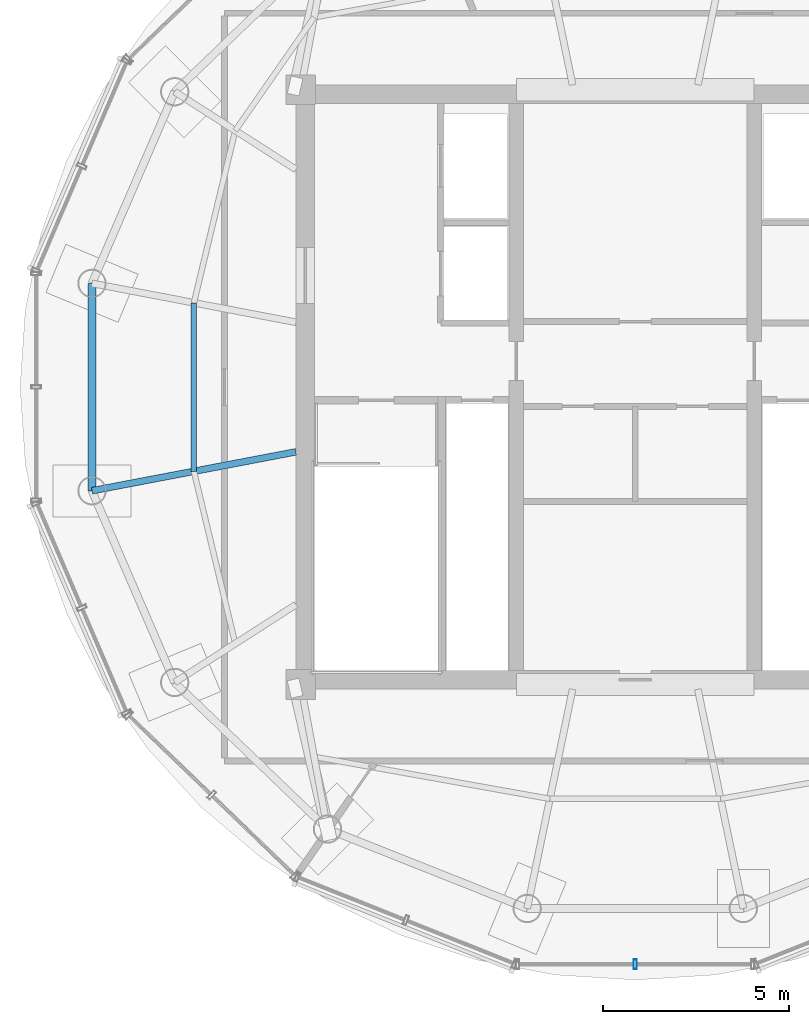
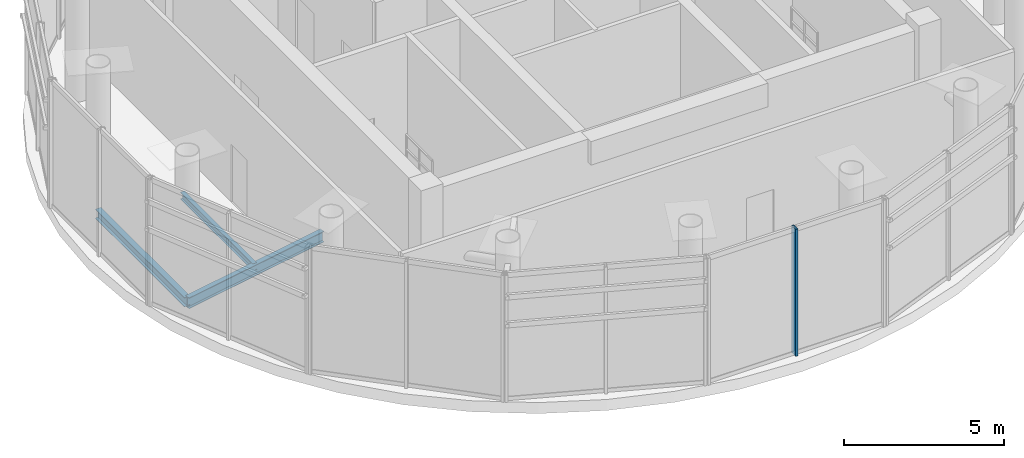
# One storey, part 3 of 13: 3 beams, 1 member, 1 element without a shape of its own.
"""IFC4 building model written with IfcOpenShell, lengths in metres."""

from ifc_helpers import new_model, si_unit, direction, frame, origin, origin_2d, place, context, subcontext, project, spatial, hollow_rectangle, i_section, extrude, source, transform, mapped, material, material_profile, profile_set, type_object, element, aggregate, save


model = new_model("IFC4")

# Units and contexts
model_context = context("Model", 3, precision=1e-05, world=origin(), true_north=direction((-0.2419218956, 0.970295726276)))
body_context = subcontext(model_context, "Body", "Model", "MODEL_VIEW")
ifc_project = project(units=[si_unit("LENGTHUNIT", "METRE"), si_unit("AREAUNIT", "SQUARE_METRE"), si_unit("VOLUMEUNIT", "CUBIC_METRE"), si_unit("PLANEANGLEUNIT", "RADIAN"), si_unit("MASSUNIT", "GRAM", prefix="KILO")], contexts=[model_context])

# Site, building, storey
site_placement = place(None, origin())
site = spatial("IfcSite", under=ifc_project, at=site_placement, CompositionType="ELEMENT")
building_placement = place(site_placement, origin())
building = spatial("IfcBuilding", under=site, at=building_placement, Name="Cobrevalo Terracotta Tower", CompositionType="ELEMENT")
storey_placement = place(building_placement, frame((0.0, 0.0, 332.10009765625)))
storey = spatial("IfcBuildingStorey", under=building, at=storey_placement, Name="L85", CompositionType="ELEMENT", Elevation=332.10009765625)

# Beams
ifc_material_1 = material(Name="Steel S355", Category="steel")
ifc_material_profile_1 = material_profile(ifc_material_1, i_section(OverallWidth=0.179931640625, OverallDepth=0.4130859375, WebThickness=0.009765625, FlangeThickness=0.01611328125, at=origin_2d()), Name="W 410x75")
ifc_profile_set_1 = profile_set([ifc_material_profile_1], Name="Steel S355")
beam_type_1 = type_object("IfcBeamType", Name="Structural Beam W 410x75 (Steel S355)", PredefinedType="BEAM", material=ifc_profile_set_1)
beam_1_placement = place(storey_placement, frame((23.38623046875, 24.01025390625, -0.626708984375), z_axis=(0.982261932892, 0.187513986655, 0.0), x_axis=(-0.187513986655, 0.982261932892, 0.0)))
element("IfcBeam", 1, at=beam_1_placement, inside=storey, type_object=beam_type_1, Name="L85 radial floor girder 09", PredefinedType="BEAM", context=body_context, shape_type="SweptSolid", body=[
    extrude(i_section(OverallWidth=0.179931640625, OverallDepth=0.4130859375, WebThickness=0.009765625, FlangeThickness=0.01611328125, at=origin_2d()), origin(), (0.0, 0.0, 1.0), 5.5830078125),
])
ifc_material_profile_2 = material_profile(ifc_material_1, i_section(OverallWidth=0.14794921875, OverallDepth=0.26611328125, WebThickness=0.007568359375, FlangeThickness=0.012939453125, at=origin_2d()), Name="W 250x44.8")
ifc_profile_set_2 = profile_set([ifc_material_profile_2], Name="Steel S355")
beam_type_2 = type_object("IfcBeamType", Name="Structural Joist W 250x44.8 (Steel S355)", PredefinedType="JOIST", material=ifc_profile_set_2)
beam_2_placement = place(storey_placement, frame((26.128173828125, 29.06640625, -0.552978515625), z_axis=(0.0, -1.0, 0.0), x_axis=(1.0, 0.0, 0.0)))
element("IfcBeam", 2, at=beam_2_placement, inside=storey, type_object=beam_type_2, Name="L85 circumferential secondary floor joist 08", PredefinedType="JOIST", context=body_context, shape_type="SweptSolid", body=[
    extrude(i_section(OverallWidth=0.14794921875, OverallDepth=0.26611328125, WebThickness=0.007568359375, FlangeThickness=0.012939453125, at=origin_2d()), origin(), (0.0, 0.0, 1.0), 4.53271484375),
])
ifc_material_profile_3 = material_profile(ifc_material_1, i_section(OverallWidth=0.205078125, OverallDepth=0.35400390625, WebThickness=0.009521484375, FlangeThickness=0.016845703125, at=origin_2d()), Name="W 360x79")
ifc_profile_set_3 = profile_set([ifc_material_profile_3], Name="Steel S355")
beam_type_3 = type_object("IfcBeamType", Name="Structural Spandrel W 360x79 (Steel S355)", PredefinedType="SPANDREL", material=ifc_profile_set_3)
beam_3_placement = place(storey_placement, frame((23.38623046875, 29.58984375, -0.59716796875), z_axis=(0.0, -1.0, 0.0), x_axis=(1.0, 0.0, 0.0)))
element("IfcBeam", 3, at=beam_3_placement, inside=storey, type_object=beam_type_3, Name="L85 perimeter ring spandrel 08", PredefinedType="SPANDREL", context=body_context, shape_type="SweptSolid", body=[
    extrude(i_section(OverallWidth=0.205078125, OverallDepth=0.35400390625, WebThickness=0.009521484375, FlangeThickness=0.016845703125, at=origin_2d()), origin(), (0.0, 0.0, 1.0), 5.57958984375),
])

# Curtain wall, member
ifc_material_2 = material(Name="Anodized aluminium", Category="aluminium")
curtain_wall_type = type_object("IfcCurtainWallType", Name="Faceted glass-point crown structural glazing system CW-CR", PredefinedType="NOTDEFINED", material=ifc_material_2)
curtain_wall_placement = place(storey_placement, origin())
curtain_wall = element("IfcCurtainWall", 4, at=curtain_wall_placement, inside=storey, type_object=curtain_wall_type, Name="L85 curtain wall CW-CRN-L85-S12", PredefinedType="NOTDEFINED")
ifc_material_profile_4 = material_profile(ifc_material_2, hollow_rectangle(XDim=0.090087890625, YDim=0.260009765625, WallThickness=0.006103515625, at=origin_2d()), Name="CWM 90x260")
ifc_profile_set_4 = profile_set([ifc_material_profile_4], Name="Anodized aluminium")
member_type = type_object("IfcMemberType", Name="Crown structural glass mullion 90x260", PredefinedType="MULLION", material=ifc_profile_set_4)
shared_shape = source(origin(), body_context, "Body", "SweptSolid", [
    extrude(hollow_rectangle(XDim=0.090087890625, YDim=0.260009765625, WallThickness=0.006103515625, at=origin_2d()), origin(), (0.0, 0.0, 1.0), 4.849853515625),
])
member_placement = place(storey_placement, frame((38.0, 11.274169921875, 0.0), z_axis=(0.0, 0.0, 1.0), x_axis=(1.0, 0.0, 0.0)))
member = element("IfcMember", 5, at=member_placement, type_object=member_type, Name="CW-CRN-L85-S12 vertical mullion 02", PredefinedType="MULLION", context=body_context, shape_type="MappedRepresentation", body=[
    mapped(shared_shape, transform((0.0, 0.0, 0.0), scale=1.0)),
])
aggregate(curtain_wall, [member])

save(model, "model.ifc")
